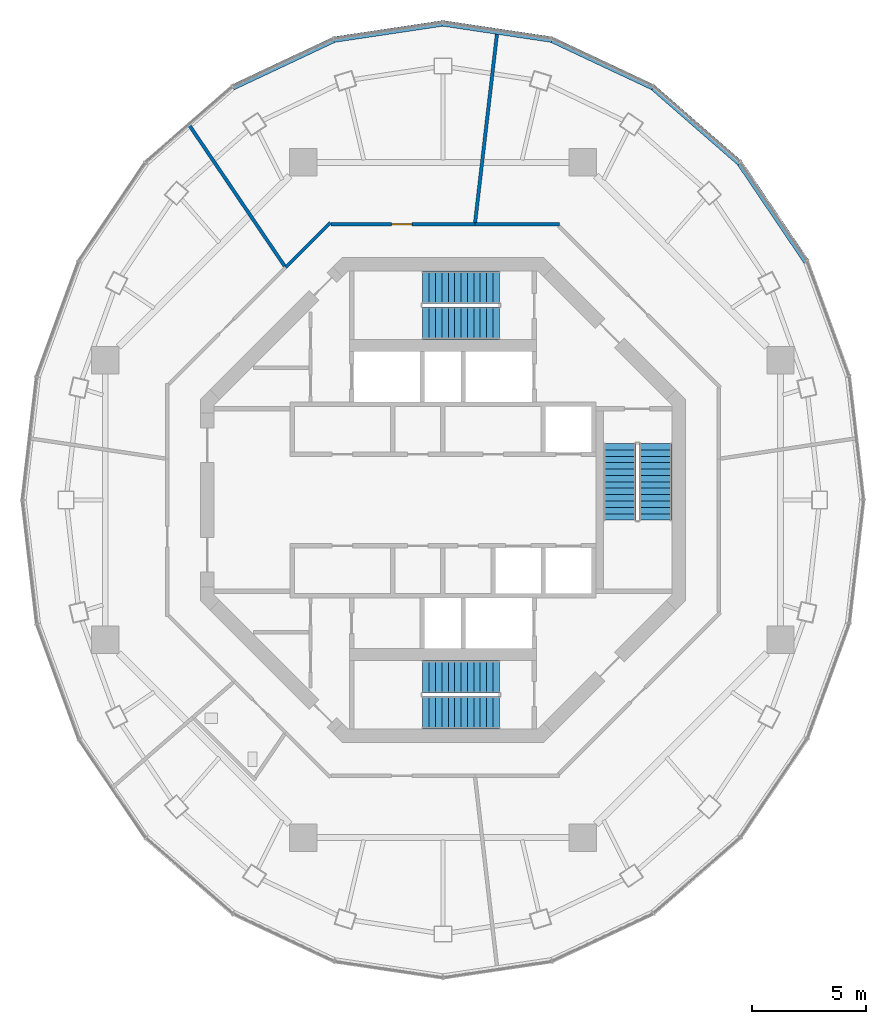
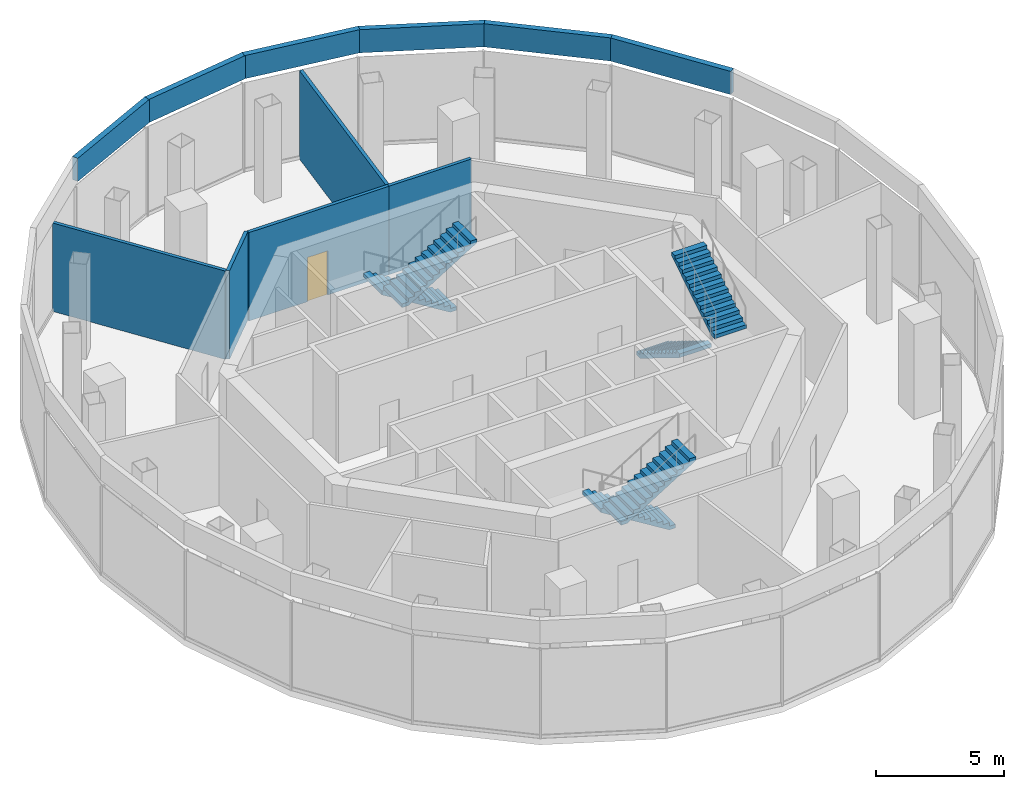
# One storey, part 9 of 11: 11 walls, 6 stair flights, 1 door, 1 opening, 3 elements without a shape of their own.
"""IFC4 building model written with IfcOpenShell, lengths in metres."""

from ifc_helpers import new_model, si_unit, direction, frame, frame_2d, origin, place, context, subcontext, project, spatial, polyline, rectangle, outline, extrude, material, layer, layer_set, type_object, element, fill, aggregate, save


model = new_model("IFC4")

# Units and contexts
model_context = context("Model", 3, precision=1e-05, world=origin(), true_north=direction((0.0, 1.0)))
body_context = subcontext(model_context, "Body", "Model", "MODEL_VIEW")
ifc_project = project(units=[si_unit("LENGTHUNIT", "METRE"), si_unit("AREAUNIT", "SQUARE_METRE"), si_unit("VOLUMEUNIT", "CUBIC_METRE"), si_unit("PLANEANGLEUNIT", "RADIAN"), si_unit("MASSUNIT", "GRAM", prefix="KILO")], contexts=[model_context])

# Site, building, storey
site_placement = place(None, origin())
site = spatial("IfcSite", under=ifc_project, at=site_placement, CompositionType="ELEMENT")
building_placement = place(site_placement, origin())
building = spatial("IfcBuilding", under=site, at=building_placement, Name="Nagisa Residences", CompositionType="ELEMENT")
storey_placement = place(building_placement, frame((0.0, 0.0, 320.39990234375)))
storey = spatial("IfcBuildingStorey", under=building, at=storey_placement, Name="L79", CompositionType="ELEMENT", Elevation=320.39990234375)

# Walls
ifc_material_1 = material(Name="Precast concrete C40/50", Category="concrete")
ifc_layer_1 = layer(ifc_material_1, 0.25)
ifc_layer_set_1 = layer_set([ifc_layer_1], Name="PARAPET 250")
wall_type_1 = type_object("IfcWallType", Name="PARAPET 250", PredefinedType="PARAPET", material=ifc_layer_set_1)
wall_1_placement = place(storey_placement, frame((15.91796875, 10.429931640625, 4.5), z_axis=(0.0, 0.0, 1.0), x_axis=(-0.560011865881, 0.828484586503, 0.0)))
element("IfcWall", 1, at=wall_1_placement, inside=storey, type_object=wall_type_1, Name="parapet:L79:02", PredefinedType="PARAPET", context=body_context, shape_type="SweptSolid", body=[
    extrude(rectangle(XDim=5.249755859375, YDim=0.25, at=frame_2d((2.625, 0.0))), origin(), (0.0, 0.0, 1.0), 1.10009765625),
])
wall_2_placement = place(storey_placement, frame((12.999267578125, 14.7548828125, 4.5), z_axis=(0.0, 0.0, 1.0), x_axis=(-0.754036302734, 0.656832744432, 0.0)))
element("IfcWall", 2, at=wall_2_placement, inside=storey, type_object=wall_type_1, Name="parapet:L79:03", PredefinedType="PARAPET", context=body_context, shape_type="SweptSolid", body=[
    extrude(rectangle(XDim=5.0810546875, YDim=0.25, at=frame_2d((2.54052734375, 0.0))), origin(), (0.0, 0.0, 1.0), 1.10009765625),
])
wall_3_placement = place(storey_placement, frame((9.19677734375, 18.073486328125, 4.5), z_axis=(0.0, 0.0, 1.0), x_axis=(-0.904961168887, 0.425494163069, 0.0)))
element("IfcWall", 3, at=wall_3_placement, inside=storey, type_object=wall_type_1, Name="parapet:L79:04", PredefinedType="PARAPET", context=body_context, shape_type="SweptSolid", body=[
    extrude(rectangle(XDim=4.930419921875, YDim=0.25, at=frame_2d((2.46533203125, 0.0))), origin(), (0.0, 0.0, 1.0), 1.10009765625),
])
for number, where, z_axis, x_axis, name in (
    (4, (4.769775390625, 20.160888671875, 4.5), (0.0, 0.0, 1.0), (-0.989017208571, 0.147800409847, 0.0), "parapet:L79:05"),
    (5, (0.0185546875, 20.87646484375, 4.5), (0.0, 0.0, 1.0), (-0.989017208571, -0.147800409847, 0.0), "parapet:L79:06"),
):
    element("IfcWall", number, at=place(storey_placement, frame(where, z_axis=z_axis, x_axis=x_axis)), inside=storey, type_object=wall_type_1, Name=name, PredefinedType="PARAPET", context=body_context, shape_type="SweptSolid", body=[
        extrude(rectangle(XDim=4.841552734375, YDim=0.25, at=frame_2d((2.4208984375, 0.0))), origin(), (0.0, 0.0, 1.0), 1.10009765625),
    ])
wall_4_placement = place(storey_placement, frame((-4.73486328125, 20.17138671875, 4.5), z_axis=(0.0, 0.0, 1.0), x_axis=(-0.904961168887, -0.425494163069, 0.0)))
element("IfcWall", 6, at=wall_4_placement, inside=storey, type_object=wall_type_1, Name="parapet:L79:07", PredefinedType="PARAPET", context=body_context, shape_type="SweptSolid", body=[
    extrude(rectangle(XDim=4.930419921875, YDim=0.25, at=frame_2d((2.46533203125, 0.0))), origin(), (0.0, 0.0, 1.0), 1.10009765625),
])
ifc_material_2 = material(Name="Gypsum board on steel studs", Category="steel")
ifc_layer_2 = layer(ifc_material_2, 0.14990234375)
ifc_layer_set_2 = layer_set([ifc_layer_2], Name="Room partition EI60 150")
wall_type_2 = type_object("IfcWallType", Name="Room partition EI60 150", PredefinedType="PARTITIONING", material=ifc_layer_set_2)
wall_5_placement = place(storey_placement, frame((-6.933837890625, 10.248291015625, 0.0), z_axis=(0.0, 0.0, 1.0), x_axis=(-0.56046251301, 0.828179794194, 0.0)))
element("IfcWall", 7, at=wall_5_placement, inside=storey, type_object=wall_type_2, Name="wall:L79:am010", PredefinedType="PARTITIONING", context=body_context, shape_type="SweptSolid", body=[
    extrude(rectangle(XDim=7.46240234375, YDim=0.14990234375, at=frame_2d((3.731201171875, 0.0))), origin(), (0.0, 0.0, 1.0), 4.2001953125),
])
wall_6_placement = place(storey_placement, frame((-6.89111328125, 10.18505859375, 0.0), z_axis=(0.0, 0.0, 1.0), x_axis=(0.707150707683, 0.707062851961, 0.0)))
element("IfcWall", 8, at=wall_6_placement, inside=storey, type_object=wall_type_2, Name="wall:L79:am011", PredefinedType="PARTITIONING", context=body_context, shape_type="SweptSolid", body=[
    extrude(rectangle(XDim=2.77880859375, YDim=0.14990234375, at=frame_2d((1.389404296875, 0.0))), origin(), (0.0, 0.0, 1.0), 4.2001953125),
])

# Wall, opening, door
wall_7_placement = place(storey_placement, frame((-4.89501953125, 12.074951171875, 0.0), z_axis=(0.0, 0.0, 1.0), x_axis=(1.0, 0.0, 0.0)))
wall_7 = element("IfcWall", 9, at=wall_7_placement, inside=storey, type_object=wall_type_2, Name="wall:L79:am013", PredefinedType="PARTITIONING", context=body_context, shape_type="SweptSolid", body=[
    extrude(rectangle(XDim=6.2958984375, YDim=0.14990234375, at=frame_2d((3.14794921875, 0.0))), origin(), (0.0, 0.0, 1.0), 4.2001953125),
])
opening_placement = place(wall_7_placement, frame((2.64501953125, 0.0, 0.0)))
opening = element("IfcOpeningElement", 10, at=opening_placement, cuts=wall_7, Name="Opening L79-A02", PredefinedType="OPENING", context=body_context, shape_type="SweptSolid", body=[
    extrude(rectangle(XDim=0.89990234375, YDim=2.10009765625, at=frame_2d((0.449951171875, 1.050048828125))), frame((0.0, 0.0849609375, 0.0), z_axis=(0.0, -1.0, 0.0), x_axis=(1.0, 0.0, 0.0)), (0.0, 0.0, 1.0), 0.169921875),
])
ifc_material_3 = material(Name="Steel fire door", Category="steel")
door_type = type_object("IfcDoorType", Name="Fire door EI30 900x2100 single swing", OperationType="NOTDEFINED", PredefinedType="DOOR", material=ifc_material_3)
door_placement = place(opening_placement, origin())
door = element("IfcDoor", 11, at=door_placement, inside=storey, type_object=door_type, Name="Private study door", OperationType="SINGLE_SWING_RIGHT", OverallHeight=2.10009765625, OverallWidth=0.89990234375, PredefinedType="DOOR", context=body_context, shape_type="SweptSolid", body=[
    extrude(rectangle(XDim=0.89990234375, YDim=2.10009765625, at=frame_2d((0.449951171875, 1.050048828125))), frame((0.0, 0.02490234375, 0.0), z_axis=(0.0, -1.0, 0.0), x_axis=(1.0, 0.0, 0.0)), (0.0, 0.0, 1.0), 0.050048828125),
])
fill(opening, door)

# Walls
wall_8_placement = place(storey_placement, frame((1.40966796875, 12.14990234375, 0.0), z_axis=(0.0, 0.0, 1.0), x_axis=(0.115263493726, 0.993334952075, 0.0)))
element("IfcWall", 12, at=wall_8_placement, inside=storey, type_object=wall_type_2, Name="wall:L79:am016", PredefinedType="PARTITIONING", context=body_context, shape_type="SweptSolid", body=[
    extrude(rectangle(XDim=8.44921875, YDim=0.14990234375, at=frame_2d((4.224609375, 0.0))), origin(), (0.0, 0.0, 1.0), 4.2001953125),
])
wall_9_placement = place(storey_placement, frame((1.40087890625, 12.074951171875, 0.0), z_axis=(0.0, 0.0, 1.0), x_axis=(1.0, 0.0, 0.0)))
element("IfcWall", 13, at=wall_9_placement, inside=storey, type_object=wall_type_2, Name="wall:L79:am017", PredefinedType="PARTITIONING", context=body_context, shape_type="SweptSolid", body=[
    extrude(rectangle(XDim=3.707275390625, YDim=0.14990234375, at=frame_2d((1.853515625, 0.0))), origin(), (0.0, 0.0, 1.0), 4.2001953125),
])

# Stair, stair flights
ifc_material_4 = material(Name="Concrete C60", Category="concrete")
stair_type = type_object("IfcStairType", Name="Exit stair", PredefinedType="HALF_TURN_STAIR", material=ifc_material_4)
stair_1_placement = place(storey_placement, origin())
stair_1 = element("IfcStair", 14, at=stair_1_placement, inside=storey, type_object=stair_type, Name="L79 Exit stair E", PredefinedType="HALF_TURN_STAIR")
ifc_material_5 = material(Name="Concrete C60", Category="concrete")
stair_flight_type = type_object("IfcStairFlightType", Name="Exit stair flight", PredefinedType="STRAIGHT", material=ifc_material_5)
stair_flight_1_placement = place(storey_placement, frame((7.737060546875, 2.47509765625, 0.0), z_axis=(0.0, 0.0, 1.0), x_axis=(0.0, -1.0, 0.0)))
stair_flight_1 = element("IfcStairFlight", 15, at=stair_flight_1_placement, type_object=stair_flight_type, Name="ST-E flight 1", NumberOfRisers=13, NumberOfTreads=12, PredefinedType="STRAIGHT", RiserHeight=0.173076923, TreadLength=0.28, context=body_context, shape_type="SweptSolid", body=[
    extrude(outline(polyline([(0.0, 0.0), (0.0, 0.173095703125), (0.280029296875, 0.173095703125), (0.280029296875, 0.34619140625), (0.56005859375, 0.34619140625), (0.56005859375, 0.519287109375), (0.840087890625, 0.519287109375), (0.840087890625, 0.6923828125), (1.1201171875, 0.6923828125), (1.1201171875, 0.865478515625), (1.39990234375, 0.865478515625), (1.39990234375, 1.03857421875), (1.679931640625, 1.03857421875), (1.679931640625, 1.21142578125), (1.9599609375, 1.21142578125), (1.9599609375, 1.384521484375), (2.239990234375, 1.384521484375), (2.239990234375, 1.5576171875), (2.52001953125, 1.5576171875), (2.52001953125, 1.730712890625), (2.800048828125, 1.730712890625), (2.800048828125, 1.90380859375), (3.080078125, 1.90380859375), (3.080078125, 2.076904296875), (3.360107421875, 2.076904296875), (3.360107421875, 2.25), (3.360107421875, 1.900634765625), (0.28515625, 0.0), (0.0, 0.0)])), frame((0.0, 0.71240234375, 0.0), z_axis=(0.0, -1.0, 0.0), x_axis=(1.0, 0.0, 0.0)), (0.0, 0.0, 1.0), 1.425048828125),
])
stair_flight_2_placement = place(storey_placement, frame((9.31201171875, -0.885009765625, 2.25), z_axis=(0.0, 0.0, 1.0), x_axis=(0.0, 1.0, 0.0)))
stair_flight_2 = element("IfcStairFlight", 16, at=stair_flight_2_placement, type_object=stair_flight_type, Name="ST-E flight 2", NumberOfRisers=13, NumberOfTreads=12, PredefinedType="STRAIGHT", RiserHeight=0.173076923, TreadLength=0.28, context=body_context, shape_type="SweptSolid", body=[
    extrude(outline(polyline([(0.0, 0.0), (0.0, 0.173095703125), (0.280029296875, 0.173095703125), (0.280029296875, 0.34619140625), (0.56005859375, 0.34619140625), (0.56005859375, 0.519287109375), (0.840087890625, 0.519287109375), (0.840087890625, 0.6923828125), (1.1201171875, 0.6923828125), (1.1201171875, 0.865478515625), (1.39990234375, 0.865478515625), (1.39990234375, 1.03857421875), (1.679931640625, 1.03857421875), (1.679931640625, 1.21142578125), (1.9599609375, 1.21142578125), (1.9599609375, 1.384521484375), (2.239990234375, 1.384521484375), (2.239990234375, 1.5576171875), (2.52001953125, 1.5576171875), (2.52001953125, 1.730712890625), (2.800048828125, 1.730712890625), (2.800048828125, 1.90380859375), (3.080078125, 1.90380859375), (3.080078125, 2.076904296875), (3.360107421875, 2.076904296875), (3.360107421875, 2.25), (3.360107421875, 1.900634765625), (0.28515625, 0.0), (0.0, 0.0)])), frame((0.0, 0.71240234375, 0.0), z_axis=(0.0, -1.0, 0.0), x_axis=(1.0, 0.0, 0.0)), (0.0, 0.0, 1.0), 1.425048828125),
])
aggregate(stair_1, [stair_flight_1, stair_flight_2])

stair_2_placement = place(storey_placement, origin())
stair_2 = element("IfcStair", 17, at=stair_2_placement, inside=storey, type_object=stair_type, Name="L79 Exit stair N", PredefinedType="HALF_TURN_STAIR")
stair_flight_3_placement = place(storey_placement, frame((2.47509765625, 9.31201171875, 0.0), z_axis=(0.0, 0.0, 1.0), x_axis=(-1.0, 0.0, 0.0)))
stair_flight_3 = element("IfcStairFlight", 18, at=stair_flight_3_placement, type_object=stair_flight_type, Name="ST-N flight 1", NumberOfRisers=13, NumberOfTreads=12, PredefinedType="STRAIGHT", RiserHeight=0.173076923, TreadLength=0.28, context=body_context, shape_type="SweptSolid", body=[
    extrude(outline(polyline([(0.0, 0.0), (0.0, 0.173095703125), (0.280029296875, 0.173095703125), (0.280029296875, 0.34619140625), (0.56005859375, 0.34619140625), (0.56005859375, 0.519287109375), (0.840087890625, 0.519287109375), (0.840087890625, 0.6923828125), (1.1201171875, 0.6923828125), (1.1201171875, 0.865478515625), (1.39990234375, 0.865478515625), (1.39990234375, 1.03857421875), (1.679931640625, 1.03857421875), (1.679931640625, 1.21142578125), (1.9599609375, 1.21142578125), (1.9599609375, 1.384521484375), (2.239990234375, 1.384521484375), (2.239990234375, 1.5576171875), (2.52001953125, 1.5576171875), (2.52001953125, 1.730712890625), (2.800048828125, 1.730712890625), (2.800048828125, 1.90380859375), (3.080078125, 1.90380859375), (3.080078125, 2.076904296875), (3.360107421875, 2.076904296875), (3.360107421875, 2.25), (3.360107421875, 1.900634765625), (0.28515625, 0.0), (0.0, 0.0)])), frame((0.0, 0.71240234375, 0.0), z_axis=(0.0, -1.0, 0.0), x_axis=(1.0, 0.0, 0.0)), (0.0, 0.0, 1.0), 1.425048828125),
])
stair_flight_4_placement = place(storey_placement, frame((-0.885009765625, 7.737060546875, 2.25), z_axis=(0.0, 0.0, 1.0), x_axis=(1.0, 0.0, 0.0)))
stair_flight_4 = element("IfcStairFlight", 19, at=stair_flight_4_placement, type_object=stair_flight_type, Name="ST-N flight 2", NumberOfRisers=13, NumberOfTreads=12, PredefinedType="STRAIGHT", RiserHeight=0.173076923, TreadLength=0.28, context=body_context, shape_type="SweptSolid", body=[
    extrude(outline(polyline([(0.0, 0.0), (0.0, 0.173095703125), (0.280029296875, 0.173095703125), (0.280029296875, 0.34619140625), (0.56005859375, 0.34619140625), (0.56005859375, 0.519287109375), (0.840087890625, 0.519287109375), (0.840087890625, 0.6923828125), (1.1201171875, 0.6923828125), (1.1201171875, 0.865478515625), (1.39990234375, 0.865478515625), (1.39990234375, 1.03857421875), (1.679931640625, 1.03857421875), (1.679931640625, 1.21142578125), (1.9599609375, 1.21142578125), (1.9599609375, 1.384521484375), (2.239990234375, 1.384521484375), (2.239990234375, 1.5576171875), (2.52001953125, 1.5576171875), (2.52001953125, 1.730712890625), (2.800048828125, 1.730712890625), (2.800048828125, 1.90380859375), (3.080078125, 1.90380859375), (3.080078125, 2.076904296875), (3.360107421875, 2.076904296875), (3.360107421875, 2.25), (3.360107421875, 1.900634765625), (0.28515625, 0.0), (0.0, 0.0)])), frame((0.0, 0.71240234375, 0.0), z_axis=(0.0, -1.0, 0.0), x_axis=(1.0, 0.0, 0.0)), (0.0, 0.0, 1.0), 1.425048828125),
])
aggregate(stair_2, [stair_flight_3, stair_flight_4])

stair_3_placement = place(storey_placement, origin())
stair_3 = element("IfcStair", 20, at=stair_3_placement, inside=storey, type_object=stair_type, Name="L79 Exit stair S", PredefinedType="HALF_TURN_STAIR")
stair_flight_5_placement = place(storey_placement, frame((2.47509765625, -7.737060546875, 0.0), z_axis=(0.0, 0.0, 1.0), x_axis=(-1.0, 0.0, 0.0)))
stair_flight_5 = element("IfcStairFlight", 21, at=stair_flight_5_placement, type_object=stair_flight_type, Name="ST-S flight 1", NumberOfRisers=13, NumberOfTreads=12, PredefinedType="STRAIGHT", RiserHeight=0.173076923, TreadLength=0.28, context=body_context, shape_type="SweptSolid", body=[
    extrude(outline(polyline([(0.0, 0.0), (0.0, 0.173095703125), (0.280029296875, 0.173095703125), (0.280029296875, 0.34619140625), (0.56005859375, 0.34619140625), (0.56005859375, 0.519287109375), (0.840087890625, 0.519287109375), (0.840087890625, 0.6923828125), (1.1201171875, 0.6923828125), (1.1201171875, 0.865478515625), (1.39990234375, 0.865478515625), (1.39990234375, 1.03857421875), (1.679931640625, 1.03857421875), (1.679931640625, 1.21142578125), (1.9599609375, 1.21142578125), (1.9599609375, 1.384521484375), (2.239990234375, 1.384521484375), (2.239990234375, 1.5576171875), (2.52001953125, 1.5576171875), (2.52001953125, 1.730712890625), (2.800048828125, 1.730712890625), (2.800048828125, 1.90380859375), (3.080078125, 1.90380859375), (3.080078125, 2.076904296875), (3.360107421875, 2.076904296875), (3.360107421875, 2.25), (3.360107421875, 1.900634765625), (0.28515625, 0.0), (0.0, 0.0)])), frame((0.0, 0.71240234375, 0.0), z_axis=(0.0, -1.0, 0.0), x_axis=(1.0, 0.0, 0.0)), (0.0, 0.0, 1.0), 1.425048828125),
])
stair_flight_6_placement = place(storey_placement, frame((-0.885009765625, -9.31201171875, 2.25), z_axis=(0.0, 0.0, 1.0), x_axis=(1.0, 0.0, 0.0)))
stair_flight_6 = element("IfcStairFlight", 22, at=stair_flight_6_placement, type_object=stair_flight_type, Name="ST-S flight 2", NumberOfRisers=13, NumberOfTreads=12, PredefinedType="STRAIGHT", RiserHeight=0.173076923, TreadLength=0.28, context=body_context, shape_type="SweptSolid", body=[
    extrude(outline(polyline([(0.0, 0.0), (0.0, 0.173095703125), (0.280029296875, 0.173095703125), (0.280029296875, 0.34619140625), (0.56005859375, 0.34619140625), (0.56005859375, 0.519287109375), (0.840087890625, 0.519287109375), (0.840087890625, 0.6923828125), (1.1201171875, 0.6923828125), (1.1201171875, 0.865478515625), (1.39990234375, 0.865478515625), (1.39990234375, 1.03857421875), (1.679931640625, 1.03857421875), (1.679931640625, 1.21142578125), (1.9599609375, 1.21142578125), (1.9599609375, 1.384521484375), (2.239990234375, 1.384521484375), (2.239990234375, 1.5576171875), (2.52001953125, 1.5576171875), (2.52001953125, 1.730712890625), (2.800048828125, 1.730712890625), (2.800048828125, 1.90380859375), (3.080078125, 1.90380859375), (3.080078125, 2.076904296875), (3.360107421875, 2.076904296875), (3.360107421875, 2.25), (3.360107421875, 1.900634765625), (0.28515625, 0.0), (0.0, 0.0)])), frame((0.0, 0.71240234375, 0.0), z_axis=(0.0, -1.0, 0.0), x_axis=(1.0, 0.0, 0.0)), (0.0, 0.0, 1.0), 1.425048828125),
])
aggregate(stair_3, [stair_flight_5, stair_flight_6])

save(model, "model.ifc")
